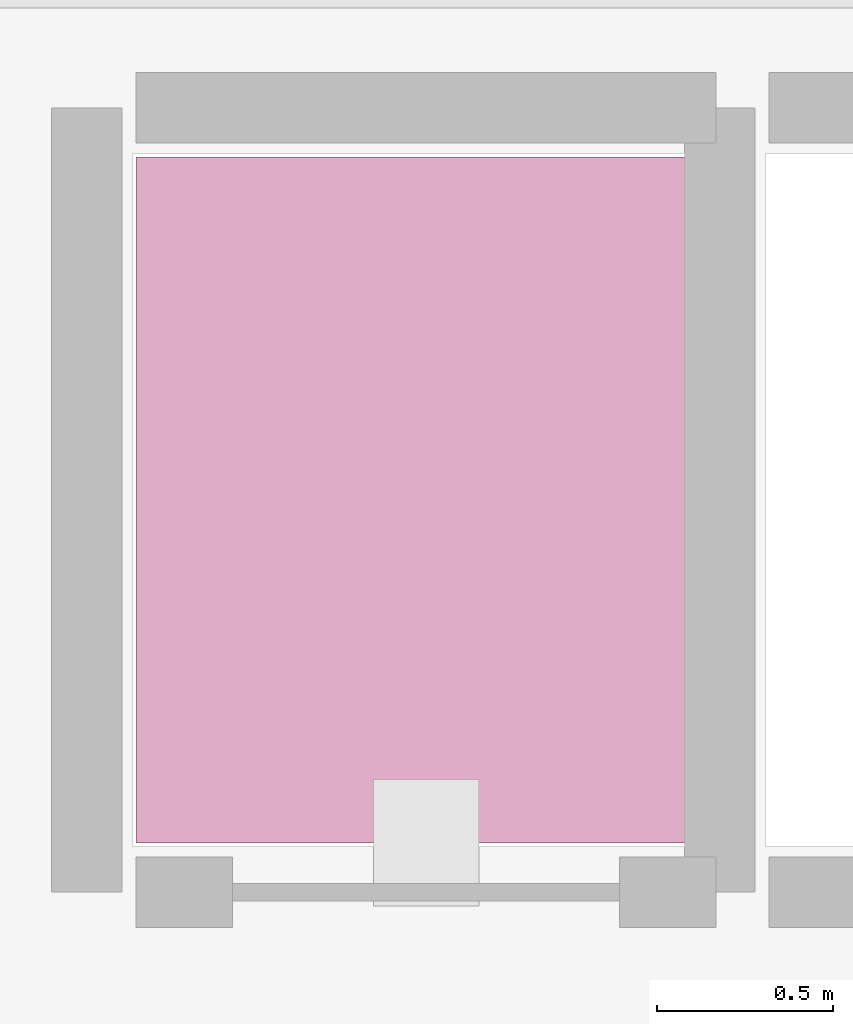
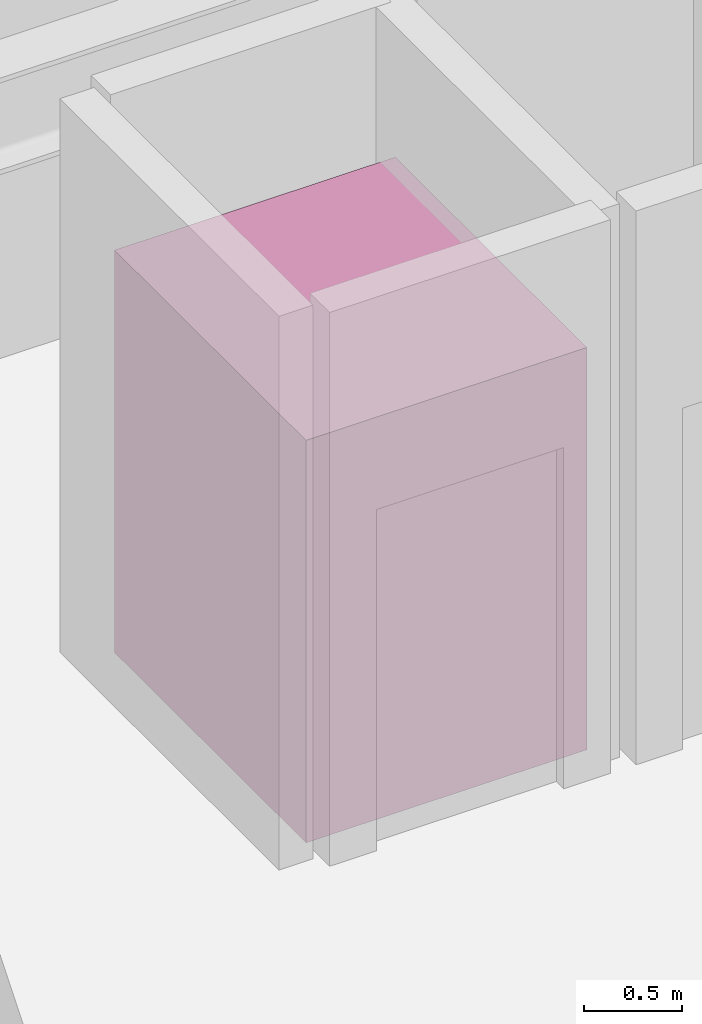
# One storey, part 20 of 20: 1 transport element.
"""IFC4 building model written with IfcOpenShell, lengths in metres."""

from ifc_helpers import new_model, si_unit, direction, frame, origin, origin_2d, place, context, subcontext, project, spatial, rectangle, extrude, source, transform, mapped, material, type_object, element, save


model = new_model("IFC4")

# Units and contexts
model_context = context("Model", 3, precision=1e-05, world=origin(), true_north=direction((0.0, 1.0)))
body_context = subcontext(model_context, "Body", "Model", "MODEL_VIEW")
ifc_project = project(units=[si_unit("LENGTHUNIT", "METRE"), si_unit("AREAUNIT", "SQUARE_METRE"), si_unit("VOLUMEUNIT", "CUBIC_METRE"), si_unit("PLANEANGLEUNIT", "RADIAN"), si_unit("MASSUNIT", "GRAM", prefix="KILO")], contexts=[model_context])

# Site, building, storey
site_placement = place(None, origin())
site = spatial("IfcSite", under=ifc_project, at=site_placement, CompositionType="ELEMENT")
building_placement = place(site_placement, origin())
building = spatial("IfcBuilding", under=site, at=building_placement, Name="Kaliganga Portal Commons", CompositionType="ELEMENT")
storey_placement = place(building_placement, frame((0.0, 0.0, 155.0)))
storey = spatial("IfcBuildingStorey", under=building, at=storey_placement, Name="L39", CompositionType="ELEMENT", Elevation=155.0)

# Transport element
ifc_material = material(Name="Stainless Steel 316 Lift Car Assembly", Category="steel")
transport_element_type = type_object("IfcTransportElementType", Name="XPT-ELEV-PASS", PredefinedType="ELEVATOR", material=ifc_material)
shared_shape = source(origin(), body_context, "Body", "SweptSolid", [
    extrude(rectangle(XDim=1.64990234375, YDim=1.949951171875, at=origin_2d()), origin(), (0.0, 0.0, 1.0), 2.5),
])
transport_element_placement = place(storey_placement, frame((11.699951171875, 34.60009765625, 0.0), z_axis=(0.0, 0.0, 1.0), x_axis=(1.0, 0.0, 0.0)))
element("IfcTransportElement", 1, at=transport_element_placement, inside=storey, type_object=transport_element_type, Name="Passenger Lift PL-OBS", PredefinedType="ELEVATOR", context=body_context, shape_type="MappedRepresentation", body=[
    mapped(shared_shape, transform((0.0, 0.0, 0.0), x_axis=(1.0, 0.0, 0.0), y_axis=(0.0, 1.0, 0.0), z_axis=(0.0, 0.0, 1.0), scale=1.0)),
])

save(model, "model.ifc")
